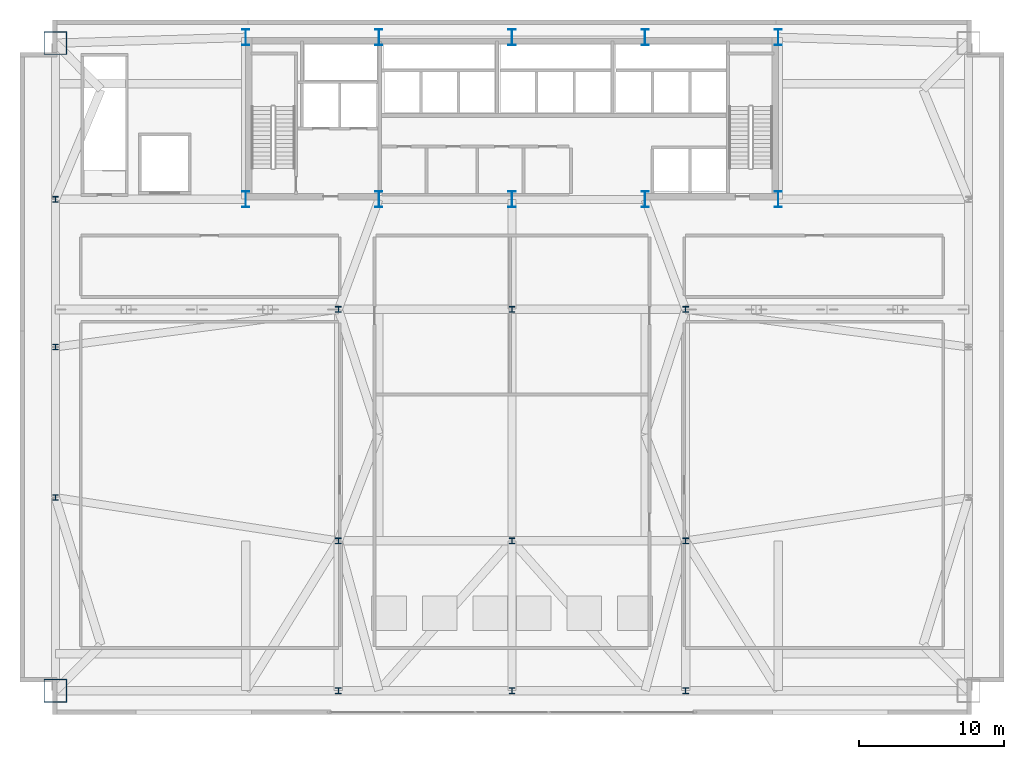
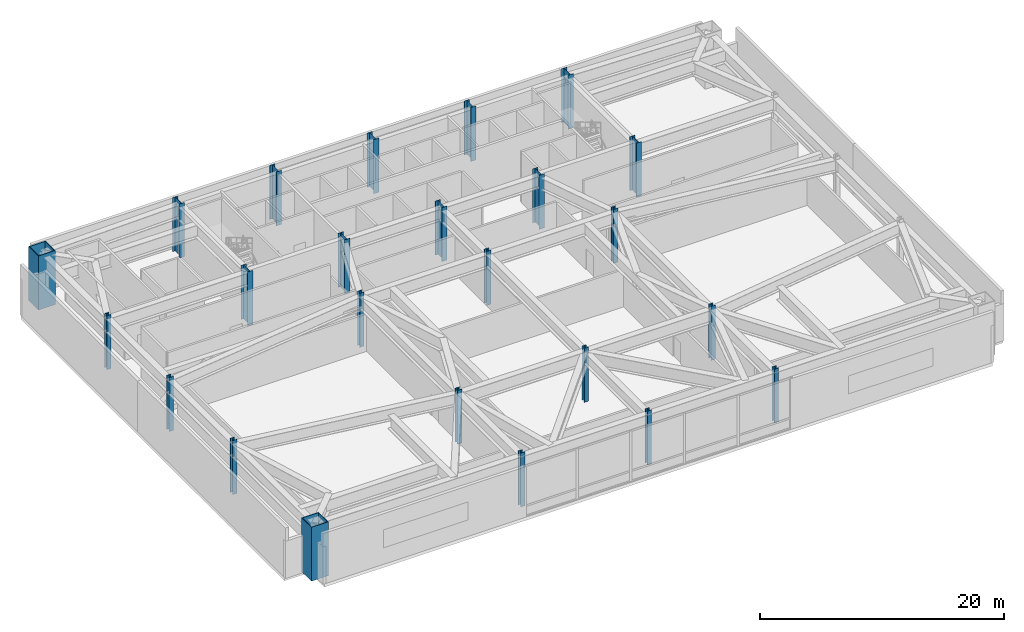
# One storey, part 1 of 16: 24 columns.
"""IFC4 building model written with IfcOpenShell, lengths in metres."""

from ifc_helpers import new_model, si_unit, direction, frame, origin, origin_2d, place, context, subcontext, project, spatial, hollow_rectangle, i_section, extrude, source, transform, mapped, material, material_profile, profile_set, type_object, type_shapes, element, save


model = new_model("IFC4")

# Units and contexts
model_context = context("Model", 3, precision=1e-05, world=origin(), true_north=direction((0.0, 1.0)))
body_context = subcontext(model_context, "Body", "Model", "MODEL_VIEW")
ifc_project = project(units=[si_unit("LENGTHUNIT", "METRE"), si_unit("AREAUNIT", "SQUARE_METRE"), si_unit("VOLUMEUNIT", "CUBIC_METRE"), si_unit("PLANEANGLEUNIT", "RADIAN"), si_unit("MASSUNIT", "GRAM", prefix="KILO")], contexts=[model_context])

# Site, building, storey
site_placement = place(None, origin())
site = spatial("IfcSite", under=ifc_project, at=site_placement, CompositionType="ELEMENT")
building_placement = place(site_placement, origin())
building = spatial("IfcBuilding", under=site, at=building_placement, Name="Varnel Quay Broadcast Tower", CompositionType="ELEMENT")
storey_placement = place(building_placement, frame((0.0, 0.0, 22.199951171875)))
storey = spatial("IfcBuildingStorey", under=building, at=storey_placement, Name="L04", CompositionType="ELEMENT", Elevation=22.199951171875)

# Columns
ifc_material_1 = material(Name="Structural Steel CSA G40.21 350WT", Category="steel")
ifc_material_profile_1 = material_profile(ifc_material_1, i_section(OverallWidth=0.5, OverallDepth=1.10009765625, WebThickness=0.01806640625, FlangeThickness=0.031982421875, FilletRadius=0.01806640625, at=origin_2d()), Name="WWF1100X418")
ifc_profile_set_1 = profile_set([ifc_material_profile_1], Name="Structural Steel CSA G40.21 350WT")
column_type_1 = type_object("IfcColumnType", Name="Col_WWF1100X418", PredefinedType="COLUMN", material=ifc_profile_set_1)
shared_shape_1 = source(origin(), body_context, "Body", "SweptSolid", [
    extrude(i_section(OverallWidth=0.5, OverallDepth=1.10009765625, WebThickness=0.01806640625, FlangeThickness=0.031982421875, FilletRadius=0.01806640625, at=origin_2d()), origin(), (0.0, 0.0, 1.0), 5.400146484375),
])
type_shapes(column_type_1, [shared_shape_1])
for number, where, z_axis, x_axis, name in (
    (1, (15.60009765625, 35.60009765625, 0.0), (0.0, 0.0, 1.0), (1.0, 0.0, 0.0), "L04 Column CC-S1"),
    (2, (15.60009765625, 46.800048828125, 0.0), (0.0, 0.0, 1.0), (1.0, 0.0, 0.0), "L04 Column CC-N1"),
    (3, (24.800048828125, 35.60009765625, 0.0), (0.0, 0.0, 1.0), (1.0, 0.0, 0.0), "L04 Column CC-S2"),
    (4, (24.800048828125, 46.800048828125, 0.0), (0.0, 0.0, 1.0), (1.0, 0.0, 0.0), "L04 Column CC-N2"),
    (5, (34.0, 35.60009765625, 0.0), (0.0, 0.0, 1.0), (1.0, 0.0, 0.0), "L04 Column CC-S3"),
    (6, (34.0, 46.800048828125, 0.0), (0.0, 0.0, 1.0), (1.0, 0.0, 0.0), "L04 Column CC-N3"),
    (7, (43.199951171875, 35.60009765625, 0.0), (0.0, 0.0, 1.0), (1.0, 0.0, 0.0), "L04 Column CC-S4"),
    (8, (43.199951171875, 46.800048828125, 0.0), (0.0, 0.0, 1.0), (1.0, 0.0, 0.0), "L04 Column CC-N4"),
    (9, (52.39990234375, 35.60009765625, 0.0), (0.0, 0.0, 1.0), (1.0, 0.0, 0.0), "L04 Column CC-S5"),
    (10, (52.39990234375, 46.800048828125, 0.0), (0.0, 0.0, 1.0), (1.0, 0.0, 0.0), "L04 Column CC-N5"),
):
    element("IfcColumn", number, at=place(storey_placement, frame(where, z_axis=z_axis, x_axis=x_axis)), inside=storey, type_object=column_type_1, Name=name, PredefinedType="COLUMN", context=body_context, shape_type="MappedRepresentation", body=[
        mapped(shared_shape_1, transform((0.0, 0.0, 0.0), x_axis=(1.0, 0.0, 0.0), y_axis=(0.0, 1.0, 0.0), z_axis=(0.0, 0.0, 1.0), scale=1.0)),
    ])
ifc_material_profile_2 = material_profile(ifc_material_1, hollow_rectangle(XDim=1.60009765625, YDim=1.60009765625, WallThickness=0.06005859375, at=origin_2d()), Name="BOX1600X1600X60")
ifc_profile_set_2 = profile_set([ifc_material_profile_2], Name="Structural Steel CSA G40.21 350WT")
column_type_2 = type_object("IfcColumnType", Name="Col_BOX1600X1600X60", PredefinedType="COLUMN", material=ifc_profile_set_2)
shared_shape_2 = source(origin(), body_context, "Body", "SweptSolid", [
    extrude(hollow_rectangle(XDim=1.60009765625, YDim=1.60009765625, WallThickness=0.06005859375, at=origin_2d()), origin(), (0.0, 0.0, 1.0), 5.400146484375),
])
type_shapes(column_type_2, [shared_shape_2])
for number, where, z_axis, x_axis, name in (
    (11, (2.449951171875, 1.64990234375, 0.0), (0.0, 0.0, 1.0), (1.0, 0.0, 0.0), "L04 Column MC-SW"),
    (12, (2.449951171875, 46.39990234375, 0.0), (0.0, 0.0, 1.0), (1.0, 0.0, 0.0), "L04 Column MC-NW"),
):
    element("IfcColumn", number, at=place(storey_placement, frame(where, z_axis=z_axis, x_axis=x_axis)), inside=storey, type_object=column_type_2, Name=name, PredefinedType="COLUMN", context=body_context, shape_type="MappedRepresentation", body=[
        mapped(shared_shape_2, transform((0.0, 0.0, 0.0), x_axis=(1.0, 0.0, 0.0), y_axis=(0.0, 1.0, 0.0), z_axis=(0.0, 0.0, 1.0), scale=1.0)),
    ])
ifc_material_2 = material(Name="Structural Steel CSA G40.21 350W", Category="steel")
ifc_material_profile_3 = material_profile(ifc_material_2, i_section(OverallWidth=0.404052734375, OverallDepth=0.406982421875, WebThickness=0.027099609375, FlangeThickness=0.043701171875, FilletRadius=0.01806640625, at=origin_2d()), Name="W360X347")
ifc_profile_set_3 = profile_set([ifc_material_profile_3], Name="Structural Steel CSA G40.21 350W")
column_type_3 = type_object("IfcColumnType", Name="Col_W360X347", PredefinedType="COLUMN", material=ifc_profile_set_3)
shared_shape_3 = source(origin(), body_context, "Body", "SweptSolid", [
    extrude(i_section(OverallWidth=0.404052734375, OverallDepth=0.406982421875, WebThickness=0.027099609375, FlangeThickness=0.043701171875, FilletRadius=0.01806640625, at=origin_2d()), origin(), (0.0, 0.0, 1.0), 5.400146484375),
])
type_shapes(column_type_3, [shared_shape_3])
for number, where, z_axis, x_axis, name in (
    (13, (22.0, 1.64990234375, 0.0), (0.0, 0.0, 1.0), (1.0, 0.0, 0.0), "L04 Column PC-01"),
    (14, (34.0, 1.64990234375, 0.0), (0.0, 0.0, 1.0), (1.0, 0.0, 0.0), "L04 Column PC-02"),
    (15, (46.0, 1.64990234375, 0.0), (0.0, 0.0, 1.0), (1.0, 0.0, 0.0), "L04 Column PC-03"),
    (16, (22.0, 12.0, 0.0), (0.0, 0.0, 1.0), (1.0, 0.0, 0.0), "L04 Column PC-04"),
    (17, (34.0, 12.0, 0.0), (0.0, 0.0, 1.0), (1.0, 0.0, 0.0), "L04 Column PC-04B"),
    (18, (46.0, 12.0, 0.0), (0.0, 0.0, 1.0), (1.0, 0.0, 0.0), "L04 Column PC-05"),
    (19, (22.0, 28.0, 0.0), (0.0, 0.0, 1.0), (1.0, 0.0, 0.0), "L04 Column PC-06"),
    (20, (34.0, 28.0, 0.0), (0.0, 0.0, 1.0), (1.0, 0.0, 0.0), "L04 Column PC-07"),
    (21, (46.0, 28.0, 0.0), (0.0, 0.0, 1.0), (1.0, 0.0, 0.0), "L04 Column PC-08"),
    (22, (2.449951171875, 15.0, 0.0), (0.0, 0.0, 1.0), (1.0, 0.0, 0.0), "L04 Column PC-09"),
    (23, (2.449951171875, 25.39990234375, 0.0), (0.0, 0.0, 1.0), (1.0, 0.0, 0.0), "L04 Column PC-10"),
    (24, (2.449951171875, 35.60009765625, 0.0), (0.0, 0.0, 1.0), (1.0, 0.0, 0.0), "L04 Column PC-11"),
):
    element("IfcColumn", number, at=place(storey_placement, frame(where, z_axis=z_axis, x_axis=x_axis)), inside=storey, type_object=column_type_3, Name=name, PredefinedType="COLUMN", context=body_context, shape_type="MappedRepresentation", body=[
        mapped(shared_shape_3, transform((0.0, 0.0, 0.0), x_axis=(1.0, 0.0, 0.0), y_axis=(0.0, 1.0, 0.0), z_axis=(0.0, 0.0, 1.0), scale=1.0)),
    ])

save(model, "model.ifc")
